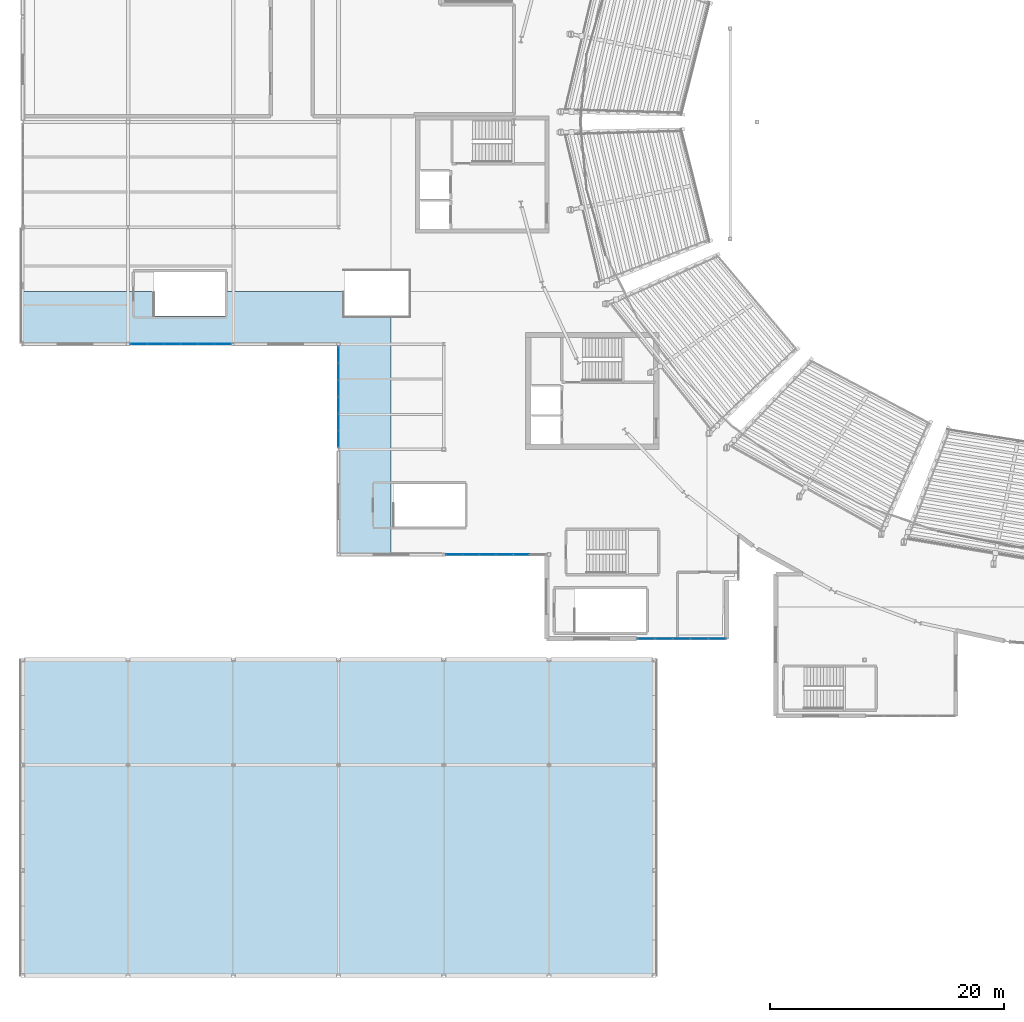
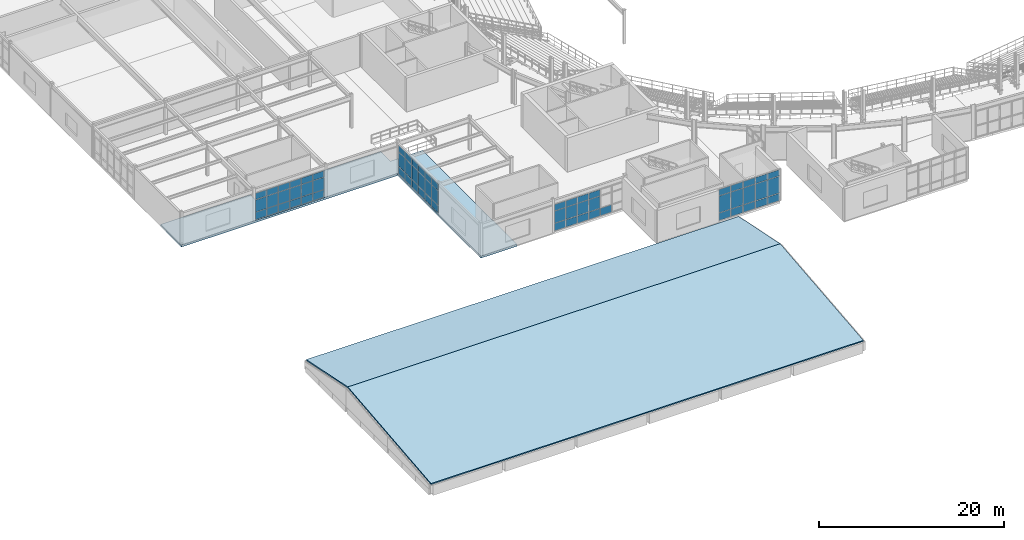
# One storey, part 43 of 81: 64 plates, 3 slabs, 5 elements without a shape of their own.
"""IFC4 building model written with IfcOpenShell, lengths in metres."""

from ifc_helpers import new_model, si_unit, direction, frame, origin, origin_2d, place, context, subcontext, project, spatial, polyline, rectangle, outline, extrude, material, layer, layer_set, type_object, element, aggregate, save


model = new_model("IFC4")

# Units and contexts
model_context = context("Model", 3, precision=1e-05, world=origin(), true_north=direction((0.0, 1.0)))
body_context = subcontext(model_context, "Body", "Model", "MODEL_VIEW")
ifc_project = project(units=[si_unit("LENGTHUNIT", "METRE"), si_unit("AREAUNIT", "SQUARE_METRE"), si_unit("VOLUMEUNIT", "CUBIC_METRE"), si_unit("PLANEANGLEUNIT", "RADIAN"), si_unit("MASSUNIT", "GRAM", prefix="KILO")], contexts=[model_context])

# Site, building, storey
site_placement = place(None, origin())
site = spatial("IfcSite", under=ifc_project, at=site_placement, CompositionType="ELEMENT")
building_placement = place(site_placement, origin())
building = spatial("IfcBuilding", under=site, at=building_placement, Name="Glasvene Arena", CompositionType="ELEMENT")
storey_placement = place(building_placement, frame((0.0, 0.0, 15.0)))
storey = spatial("IfcBuildingStorey", under=building, at=storey_placement, Name="L03", CompositionType="ELEMENT", Elevation=15.0)

# Curtain wall, plates
ifc_material_1 = material(Name="Low-emissivity laminated double glazing", Category="glass")
curtain_wall_type_1 = type_object("IfcCurtainWallType", Name="CW-FAC-L03-864x358", PredefinedType="USERDEFINED", material=ifc_material_1)
curtain_wall_1_placement = place(storey_placement, frame((17.829833984375, 54.0, 0.0)))
curtain_wall_1 = element("IfcCurtainWall", 1, at=curtain_wall_1_placement, inside=storey, type_object=curtain_wall_type_1, Name="Unitised curtain wall CW-F-L03-150-135-540-1", ObjectType="CURTAIN WALL", PredefinedType="USERDEFINED")
ifc_layer_1 = layer(ifc_material_1, 0.028076171875)
ifc_layer_set_1 = layer_set([ifc_layer_1], Name="Low-emissivity laminated double glazing")
plate_type = type_object("IfcPlateType", Name="CW-GLZ-28", PredefinedType="CURTAIN_PANEL", material=ifc_layer_set_1)
plate_1_placement = place(storey_placement, frame((17.097412109375, 54.0, 0.10986328125), z_axis=(0.0, 0.0, 1.0), x_axis=(-1.0, 0.0, 0.0)))
plate_1 = element("IfcPlate", 2, at=plate_1_placement, type_object=plate_type, Name="CW-032 panel 1.1", PredefinedType="CURTAIN_PANEL", context=body_context, shape_type="SweptSolid", body=[
    extrude(rectangle(XDim=1.36474609375, YDim=0.028076171875, at=origin_2d()), origin(), (0.0, 0.0, 1.0), 0.965087890625),
])
plate_2_placement = place(storey_placement, frame((17.097412109375, 54.0, 1.125), z_axis=(0.0, 0.0, 1.0), x_axis=(-1.0, 0.0, 0.0)))
plate_2 = element("IfcPlate", 3, at=plate_2_placement, type_object=plate_type, Name="CW-032 panel 1.2", PredefinedType="CURTAIN_PANEL", context=body_context, shape_type="SweptSolid", body=[
    extrude(rectangle(XDim=1.36474609375, YDim=0.028076171875, at=origin_2d()), origin(), (0.0, 0.0, 1.0), 1.5869140625),
])
plate_3_placement = place(storey_placement, frame((17.097412109375, 54.0, 2.76220703125), z_axis=(0.0, 0.0, 1.0), x_axis=(-1.0, 0.0, 0.0)))
plate_3 = element("IfcPlate", 4, at=plate_3_placement, type_object=plate_type, Name="CW-032 panel 1.3", PredefinedType="CURTAIN_PANEL", context=body_context, shape_type="SweptSolid", body=[
    extrude(rectangle(XDim=1.36474609375, YDim=0.028076171875, at=origin_2d()), origin(), (0.0, 0.0, 1.0), 0.824951171875),
])
plate_4_placement = place(storey_placement, frame((15.67041015625, 54.0, 0.10986328125), z_axis=(0.0, 0.0, 1.0), x_axis=(-1.0, 0.0, 0.0)))
plate_4 = element("IfcPlate", 5, at=plate_4_placement, type_object=plate_type, Name="CW-032 panel 2.1", PredefinedType="CURTAIN_PANEL", context=body_context, shape_type="SweptSolid", body=[
    extrude(rectangle(XDim=1.3896484375, YDim=0.028076171875, at=origin_2d()), origin(), (0.0, 0.0, 1.0), 0.965087890625),
])
plate_5_placement = place(storey_placement, frame((15.67041015625, 54.0, 1.125), z_axis=(0.0, 0.0, 1.0), x_axis=(-1.0, 0.0, 0.0)))
plate_5 = element("IfcPlate", 6, at=plate_5_placement, type_object=plate_type, Name="CW-032 panel 2.2", PredefinedType="CURTAIN_PANEL", context=body_context, shape_type="SweptSolid", body=[
    extrude(rectangle(XDim=1.3896484375, YDim=0.028076171875, at=origin_2d()), origin(), (0.0, 0.0, 1.0), 1.5869140625),
])
plate_6_placement = place(storey_placement, frame((15.67041015625, 54.0, 2.76220703125), z_axis=(0.0, 0.0, 1.0), x_axis=(-1.0, 0.0, 0.0)))
plate_6 = element("IfcPlate", 7, at=plate_6_placement, type_object=plate_type, Name="CW-032 panel 2.3", PredefinedType="CURTAIN_PANEL", context=body_context, shape_type="SweptSolid", body=[
    extrude(rectangle(XDim=1.3896484375, YDim=0.028076171875, at=origin_2d()), origin(), (0.0, 0.0, 1.0), 0.824951171875),
])
plate_7_placement = place(storey_placement, frame((14.230712890625, 54.0, 0.10986328125), z_axis=(0.0, 0.0, 1.0), x_axis=(-1.0, 0.0, 0.0)))
plate_7 = element("IfcPlate", 8, at=plate_7_placement, type_object=plate_type, Name="CW-032 panel 3.1", PredefinedType="CURTAIN_PANEL", context=body_context, shape_type="SweptSolid", body=[
    extrude(rectangle(XDim=1.3896484375, YDim=0.028076171875, at=origin_2d()), origin(), (0.0, 0.0, 1.0), 0.965087890625),
])
plate_8_placement = place(storey_placement, frame((14.230712890625, 54.0, 1.125), z_axis=(0.0, 0.0, 1.0), x_axis=(-1.0, 0.0, 0.0)))
plate_8 = element("IfcPlate", 9, at=plate_8_placement, type_object=plate_type, Name="CW-032 panel 3.2", PredefinedType="CURTAIN_PANEL", context=body_context, shape_type="SweptSolid", body=[
    extrude(rectangle(XDim=1.3896484375, YDim=0.028076171875, at=origin_2d()), origin(), (0.0, 0.0, 1.0), 1.5869140625),
])
plate_9_placement = place(storey_placement, frame((14.230712890625, 54.0, 2.76220703125), z_axis=(0.0, 0.0, 1.0), x_axis=(-1.0, 0.0, 0.0)))
plate_9 = element("IfcPlate", 10, at=plate_9_placement, type_object=plate_type, Name="CW-032 panel 3.3", PredefinedType="CURTAIN_PANEL", context=body_context, shape_type="SweptSolid", body=[
    extrude(rectangle(XDim=1.3896484375, YDim=0.028076171875, at=origin_2d()), origin(), (0.0, 0.0, 1.0), 0.824951171875),
])
plate_10_placement = place(storey_placement, frame((12.791015625, 54.0, 0.10986328125), z_axis=(0.0, 0.0, 1.0), x_axis=(-1.0, 0.0, 0.0)))
plate_10 = element("IfcPlate", 11, at=plate_10_placement, type_object=plate_type, Name="CW-032 panel 4.1", PredefinedType="CURTAIN_PANEL", context=body_context, shape_type="SweptSolid", body=[
    extrude(rectangle(XDim=1.3896484375, YDim=0.028076171875, at=origin_2d()), origin(), (0.0, 0.0, 1.0), 0.965087890625),
])
plate_11_placement = place(storey_placement, frame((12.791015625, 54.0, 1.125), z_axis=(0.0, 0.0, 1.0), x_axis=(-1.0, 0.0, 0.0)))
plate_11 = element("IfcPlate", 12, at=plate_11_placement, type_object=plate_type, Name="CW-032 panel 4.2", PredefinedType="CURTAIN_PANEL", context=body_context, shape_type="SweptSolid", body=[
    extrude(rectangle(XDim=1.3896484375, YDim=0.028076171875, at=origin_2d()), origin(), (0.0, 0.0, 1.0), 1.5869140625),
])
plate_12_placement = place(storey_placement, frame((12.791015625, 54.0, 2.76220703125), z_axis=(0.0, 0.0, 1.0), x_axis=(-1.0, 0.0, 0.0)))
plate_12 = element("IfcPlate", 13, at=plate_12_placement, type_object=plate_type, Name="CW-032 panel 4.3", PredefinedType="CURTAIN_PANEL", context=body_context, shape_type="SweptSolid", body=[
    extrude(rectangle(XDim=1.3896484375, YDim=0.028076171875, at=origin_2d()), origin(), (0.0, 0.0, 1.0), 0.824951171875),
])
plate_13_placement = place(storey_placement, frame((11.3515625, 54.0, 0.10986328125), z_axis=(0.0, 0.0, 1.0), x_axis=(-1.0, 0.0, 0.0)))
plate_13 = element("IfcPlate", 14, at=plate_13_placement, type_object=plate_type, Name="CW-032 panel 5.1", PredefinedType="CURTAIN_PANEL", context=body_context, shape_type="SweptSolid", body=[
    extrude(rectangle(XDim=1.3896484375, YDim=0.028076171875, at=origin_2d()), origin(), (0.0, 0.0, 1.0), 0.965087890625),
])
plate_14_placement = place(storey_placement, frame((11.3515625, 54.0, 1.125), z_axis=(0.0, 0.0, 1.0), x_axis=(-1.0, 0.0, 0.0)))
plate_14 = element("IfcPlate", 15, at=plate_14_placement, type_object=plate_type, Name="CW-032 panel 5.2", PredefinedType="CURTAIN_PANEL", context=body_context, shape_type="SweptSolid", body=[
    extrude(rectangle(XDim=1.3896484375, YDim=0.028076171875, at=origin_2d()), origin(), (0.0, 0.0, 1.0), 1.5869140625),
])
plate_15_placement = place(storey_placement, frame((11.3515625, 54.0, 2.76220703125), z_axis=(0.0, 0.0, 1.0), x_axis=(-1.0, 0.0, 0.0)))
plate_15 = element("IfcPlate", 16, at=plate_15_placement, type_object=plate_type, Name="CW-032 panel 5.3", PredefinedType="CURTAIN_PANEL", context=body_context, shape_type="SweptSolid", body=[
    extrude(rectangle(XDim=1.3896484375, YDim=0.028076171875, at=origin_2d()), origin(), (0.0, 0.0, 1.0), 0.824951171875),
])
plate_16_placement = place(storey_placement, frame((9.92431640625, 54.0, 0.10986328125), z_axis=(0.0, 0.0, 1.0), x_axis=(-1.0, 0.0, 0.0)))
plate_16 = element("IfcPlate", 17, at=plate_16_placement, type_object=plate_type, Name="CW-032 panel 6.1", PredefinedType="CURTAIN_PANEL", context=body_context, shape_type="SweptSolid", body=[
    extrude(rectangle(XDim=1.36474609375, YDim=0.028076171875, at=origin_2d()), origin(), (0.0, 0.0, 1.0), 0.965087890625),
])
plate_17_placement = place(storey_placement, frame((9.92431640625, 54.0, 1.125), z_axis=(0.0, 0.0, 1.0), x_axis=(-1.0, 0.0, 0.0)))
plate_17 = element("IfcPlate", 18, at=plate_17_placement, type_object=plate_type, Name="CW-032 panel 6.2", PredefinedType="CURTAIN_PANEL", context=body_context, shape_type="SweptSolid", body=[
    extrude(rectangle(XDim=1.36474609375, YDim=0.028076171875, at=origin_2d()), origin(), (0.0, 0.0, 1.0), 1.5869140625),
])
plate_18_placement = place(storey_placement, frame((9.92431640625, 54.0, 2.76220703125), z_axis=(0.0, 0.0, 1.0), x_axis=(-1.0, 0.0, 0.0)))
plate_18 = element("IfcPlate", 19, at=plate_18_placement, type_object=plate_type, Name="CW-032 panel 6.3", PredefinedType="CURTAIN_PANEL", context=body_context, shape_type="SweptSolid", body=[
    extrude(rectangle(XDim=1.36474609375, YDim=0.028076171875, at=origin_2d()), origin(), (0.0, 0.0, 1.0), 0.824951171875),
])
aggregate(curtain_wall_1, [plate_1, plate_2, plate_3, plate_4, plate_5, plate_6, plate_7, plate_8, plate_9, plate_10, plate_11, plate_12, plate_13, plate_14, plate_15, plate_16, plate_17, plate_18])

curtain_wall_type_2 = type_object("IfcCurtainWallType", Name="CW-FAC-L03-762x419", PredefinedType="USERDEFINED", material=ifc_material_1)
curtain_wall_2_placement = place(storey_placement, frame((60.159912109375, 28.800048828125, 0.0)))
curtain_wall_2 = element("IfcCurtainWall", 20, at=curtain_wall_2_placement, inside=storey, type_object=curtain_wall_type_2, Name="Unitised curtain wall CW-F-L03-180-564-288-70", ObjectType="CURTAIN WALL", PredefinedType="USERDEFINED")
plate_19_placement = place(storey_placement, frame((59.385498046875, 28.800048828125, 0.10986328125), z_axis=(0.0, 0.0, 1.0), x_axis=(-1.0, 0.0, 0.0)))
plate_19 = element("IfcPlate", 21, at=plate_19_placement, type_object=plate_type, Name="CW-043 panel 1.1", PredefinedType="CURTAIN_PANEL", context=body_context, shape_type="SweptSolid", body=[
    extrude(rectangle(XDim=1.448974609375, YDim=0.028076171875, at=origin_2d()), origin(), (0.0, 0.0, 1.0), 0.965087890625),
])
plate_20_placement = place(storey_placement, frame((59.385498046875, 28.800048828125, 1.125), z_axis=(0.0, 0.0, 1.0), x_axis=(-1.0, 0.0, 0.0)))
plate_20 = element("IfcPlate", 22, at=plate_20_placement, type_object=plate_type, Name="CW-043 panel 1.2", PredefinedType="CURTAIN_PANEL", context=body_context, shape_type="SweptSolid", body=[
    extrude(rectangle(XDim=1.448974609375, YDim=0.028076171875, at=origin_2d()), origin(), (0.0, 0.0, 1.0), 2.199951171875),
])
plate_21_placement = place(storey_placement, frame((59.385498046875, 28.800048828125, 3.375), z_axis=(0.0, 0.0, 1.0), x_axis=(-1.0, 0.0, 0.0)))
plate_21 = element("IfcPlate", 23, at=plate_21_placement, type_object=plate_type, Name="CW-043 panel 1.3", PredefinedType="CURTAIN_PANEL", context=body_context, shape_type="SweptSolid", body=[
    extrude(rectangle(XDim=1.448974609375, YDim=0.028076171875, at=origin_2d()), origin(), (0.0, 0.0, 1.0), 0.824951171875),
])
plate_22_placement = place(storey_placement, frame((57.8740234375, 28.800048828125, 0.10986328125), z_axis=(0.0, 0.0, 1.0), x_axis=(-1.0, 0.0, 0.0)))
plate_22 = element("IfcPlate", 24, at=plate_22_placement, type_object=plate_type, Name="CW-043 panel 2.1", PredefinedType="CURTAIN_PANEL", context=body_context, shape_type="SweptSolid", body=[
    extrude(rectangle(XDim=1.47412109375, YDim=0.028076171875, at=origin_2d()), origin(), (0.0, 0.0, 1.0), 0.965087890625),
])
plate_23_placement = place(storey_placement, frame((57.8740234375, 28.800048828125, 1.125), z_axis=(0.0, 0.0, 1.0), x_axis=(-1.0, 0.0, 0.0)))
plate_23 = element("IfcPlate", 25, at=plate_23_placement, type_object=plate_type, Name="CW-043 panel 2.2", PredefinedType="CURTAIN_PANEL", context=body_context, shape_type="SweptSolid", body=[
    extrude(rectangle(XDim=1.47412109375, YDim=0.028076171875, at=origin_2d()), origin(), (0.0, 0.0, 1.0), 2.199951171875),
])
plate_24_placement = place(storey_placement, frame((57.8740234375, 28.800048828125, 3.375), z_axis=(0.0, 0.0, 1.0), x_axis=(-1.0, 0.0, 0.0)))
plate_24 = element("IfcPlate", 26, at=plate_24_placement, type_object=plate_type, Name="CW-043 panel 2.3", PredefinedType="CURTAIN_PANEL", context=body_context, shape_type="SweptSolid", body=[
    extrude(rectangle(XDim=1.47412109375, YDim=0.028076171875, at=origin_2d()), origin(), (0.0, 0.0, 1.0), 0.824951171875),
])
plate_25_placement = place(storey_placement, frame((56.35009765625, 28.800048828125, 0.10986328125), z_axis=(0.0, 0.0, 1.0), x_axis=(-1.0, 0.0, 0.0)))
plate_25 = element("IfcPlate", 27, at=plate_25_placement, type_object=plate_type, Name="CW-043 panel 3.1", PredefinedType="CURTAIN_PANEL", context=body_context, shape_type="SweptSolid", body=[
    extrude(rectangle(XDim=1.47412109375, YDim=0.028076171875, at=origin_2d()), origin(), (0.0, 0.0, 1.0), 0.965087890625),
])
plate_26_placement = place(storey_placement, frame((56.35009765625, 28.800048828125, 1.125), z_axis=(0.0, 0.0, 1.0), x_axis=(-1.0, 0.0, 0.0)))
plate_26 = element("IfcPlate", 28, at=plate_26_placement, type_object=plate_type, Name="CW-043 panel 3.2", PredefinedType="CURTAIN_PANEL", context=body_context, shape_type="SweptSolid", body=[
    extrude(rectangle(XDim=1.47412109375, YDim=0.028076171875, at=origin_2d()), origin(), (0.0, 0.0, 1.0), 2.199951171875),
])
plate_27_placement = place(storey_placement, frame((56.35009765625, 28.800048828125, 3.375), z_axis=(0.0, 0.0, 1.0), x_axis=(-1.0, 0.0, 0.0)))
plate_27 = element("IfcPlate", 29, at=plate_27_placement, type_object=plate_type, Name="CW-043 panel 3.3", PredefinedType="CURTAIN_PANEL", context=body_context, shape_type="SweptSolid", body=[
    extrude(rectangle(XDim=1.47412109375, YDim=0.028076171875, at=origin_2d()), origin(), (0.0, 0.0, 1.0), 0.824951171875),
])
plate_28_placement = place(storey_placement, frame((54.825927734375, 28.800048828125, 0.10986328125), z_axis=(0.0, 0.0, 1.0), x_axis=(-1.0, 0.0, 0.0)))
plate_28 = element("IfcPlate", 30, at=plate_28_placement, type_object=plate_type, Name="CW-043 panel 4.1", PredefinedType="CURTAIN_PANEL", context=body_context, shape_type="SweptSolid", body=[
    extrude(rectangle(XDim=1.47412109375, YDim=0.028076171875, at=origin_2d()), origin(), (0.0, 0.0, 1.0), 0.965087890625),
])
plate_29_placement = place(storey_placement, frame((54.825927734375, 28.800048828125, 1.125), z_axis=(0.0, 0.0, 1.0), x_axis=(-1.0, 0.0, 0.0)))
plate_29 = element("IfcPlate", 31, at=plate_29_placement, type_object=plate_type, Name="CW-043 panel 4.2", PredefinedType="CURTAIN_PANEL", context=body_context, shape_type="SweptSolid", body=[
    extrude(rectangle(XDim=1.47412109375, YDim=0.028076171875, at=origin_2d()), origin(), (0.0, 0.0, 1.0), 2.199951171875),
])
plate_30_placement = place(storey_placement, frame((54.825927734375, 28.800048828125, 3.375), z_axis=(0.0, 0.0, 1.0), x_axis=(-1.0, 0.0, 0.0)))
plate_30 = element("IfcPlate", 32, at=plate_30_placement, type_object=plate_type, Name="CW-043 panel 4.3", PredefinedType="CURTAIN_PANEL", context=body_context, shape_type="SweptSolid", body=[
    extrude(rectangle(XDim=1.47412109375, YDim=0.028076171875, at=origin_2d()), origin(), (0.0, 0.0, 1.0), 0.824951171875),
])
plate_31_placement = place(storey_placement, frame((53.314453125, 28.800048828125, 0.10986328125), z_axis=(0.0, 0.0, 1.0), x_axis=(-1.0, 0.0, 0.0)))
plate_31 = element("IfcPlate", 33, at=plate_31_placement, type_object=plate_type, Name="CW-043 panel 5.1", PredefinedType="CURTAIN_PANEL", context=body_context, shape_type="SweptSolid", body=[
    extrude(rectangle(XDim=1.448974609375, YDim=0.028076171875, at=origin_2d()), origin(), (0.0, 0.0, 1.0), 0.965087890625),
])
plate_32_placement = place(storey_placement, frame((53.314453125, 28.800048828125, 1.125), z_axis=(0.0, 0.0, 1.0), x_axis=(-1.0, 0.0, 0.0)))
plate_32 = element("IfcPlate", 34, at=plate_32_placement, type_object=plate_type, Name="CW-043 panel 5.2", PredefinedType="CURTAIN_PANEL", context=body_context, shape_type="SweptSolid", body=[
    extrude(rectangle(XDim=1.448974609375, YDim=0.028076171875, at=origin_2d()), origin(), (0.0, 0.0, 1.0), 2.199951171875),
])
plate_33_placement = place(storey_placement, frame((53.314453125, 28.800048828125, 3.375), z_axis=(0.0, 0.0, 1.0), x_axis=(-1.0, 0.0, 0.0)))
plate_33 = element("IfcPlate", 35, at=plate_33_placement, type_object=plate_type, Name="CW-043 panel 5.3", PredefinedType="CURTAIN_PANEL", context=body_context, shape_type="SweptSolid", body=[
    extrude(rectangle(XDim=1.448974609375, YDim=0.028076171875, at=origin_2d()), origin(), (0.0, 0.0, 1.0), 0.824951171875),
])
aggregate(curtain_wall_2, [plate_19, plate_20, plate_21, plate_22, plate_23, plate_24, plate_25, plate_26, plate_27, plate_28, plate_29, plate_30, plate_31, plate_32, plate_33])

curtain_wall_type_3 = type_object("IfcCurtainWallType", Name="CW-FAC-L03-859x358", PredefinedType="USERDEFINED", material=ifc_material_1)
curtain_wall_3_placement = place(storey_placement, frame((44.760009765625, 36.0, 0.0)))
curtain_wall_3 = element("IfcCurtainWall", 36, at=curtain_wall_3_placement, inside=storey, type_object=curtain_wall_type_3, Name="Unitised curtain wall CW-F-L03-150-405-360-73", ObjectType="CURTAIN WALL", PredefinedType="USERDEFINED")
plate_34_placement = place(storey_placement, frame((42.612548828125, 36.0, 0.10986328125), z_axis=(0.0, 0.0, 1.0), x_axis=(-1.0, 0.0, 0.0)))
plate_34 = element("IfcPlate", 37, at=plate_34_placement, type_object=plate_type, Name="CW-045 panel 2.1", PredefinedType="CURTAIN_PANEL", context=body_context, shape_type="SweptSolid", body=[
    extrude(rectangle(XDim=1.381591796875, YDim=0.028076171875, at=origin_2d()), origin(), (0.0, 0.0, 1.0), 0.965087890625),
])
plate_35_placement = place(storey_placement, frame((41.180908203125, 36.0, 0.10986328125), z_axis=(0.0, 0.0, 1.0), x_axis=(-1.0, 0.0, 0.0)))
plate_35 = element("IfcPlate", 38, at=plate_35_placement, type_object=plate_type, Name="CW-045 panel 3.1", PredefinedType="CURTAIN_PANEL", context=body_context, shape_type="SweptSolid", body=[
    extrude(rectangle(XDim=1.381591796875, YDim=0.028076171875, at=origin_2d()), origin(), (0.0, 0.0, 1.0), 0.965087890625),
])
plate_36_placement = place(storey_placement, frame((41.180908203125, 36.0, 1.125), z_axis=(0.0, 0.0, 1.0), x_axis=(-1.0, 0.0, 0.0)))
plate_36 = element("IfcPlate", 39, at=plate_36_placement, type_object=plate_type, Name="CW-045 panel 3.2", PredefinedType="CURTAIN_PANEL", context=body_context, shape_type="SweptSolid", body=[
    extrude(rectangle(XDim=1.381591796875, YDim=0.028076171875, at=origin_2d()), origin(), (0.0, 0.0, 1.0), 1.5869140625),
])
plate_37_placement = place(storey_placement, frame((41.180908203125, 36.0, 2.76220703125), z_axis=(0.0, 0.0, 1.0), x_axis=(-1.0, 0.0, 0.0)))
plate_37 = element("IfcPlate", 40, at=plate_37_placement, type_object=plate_type, Name="CW-045 panel 3.3", PredefinedType="CURTAIN_PANEL", context=body_context, shape_type="SweptSolid", body=[
    extrude(rectangle(XDim=1.381591796875, YDim=0.028076171875, at=origin_2d()), origin(), (0.0, 0.0, 1.0), 0.824951171875),
])
plate_38_placement = place(storey_placement, frame((39.749267578125, 36.0, 0.10986328125), z_axis=(0.0, 0.0, 1.0), x_axis=(-1.0, 0.0, 0.0)))
plate_38 = element("IfcPlate", 41, at=plate_38_placement, type_object=plate_type, Name="CW-045 panel 4.1", PredefinedType="CURTAIN_PANEL", context=body_context, shape_type="SweptSolid", body=[
    extrude(rectangle(XDim=1.381591796875, YDim=0.028076171875, at=origin_2d()), origin(), (0.0, 0.0, 1.0), 0.965087890625),
])
plate_39_placement = place(storey_placement, frame((39.749267578125, 36.0, 1.125), z_axis=(0.0, 0.0, 1.0), x_axis=(-1.0, 0.0, 0.0)))
plate_39 = element("IfcPlate", 42, at=plate_39_placement, type_object=plate_type, Name="CW-045 panel 4.2", PredefinedType="CURTAIN_PANEL", context=body_context, shape_type="SweptSolid", body=[
    extrude(rectangle(XDim=1.381591796875, YDim=0.028076171875, at=origin_2d()), origin(), (0.0, 0.0, 1.0), 1.5869140625),
])
plate_40_placement = place(storey_placement, frame((39.749267578125, 36.0, 2.76220703125), z_axis=(0.0, 0.0, 1.0), x_axis=(-1.0, 0.0, 0.0)))
plate_40 = element("IfcPlate", 43, at=plate_40_placement, type_object=plate_type, Name="CW-045 panel 4.3", PredefinedType="CURTAIN_PANEL", context=body_context, shape_type="SweptSolid", body=[
    extrude(rectangle(XDim=1.381591796875, YDim=0.028076171875, at=origin_2d()), origin(), (0.0, 0.0, 1.0), 0.824951171875),
])
plate_41_placement = place(storey_placement, frame((38.317626953125, 36.0, 0.10986328125), z_axis=(0.0, 0.0, 1.0), x_axis=(-1.0, 0.0, 0.0)))
plate_41 = element("IfcPlate", 44, at=plate_41_placement, type_object=plate_type, Name="CW-045 panel 5.1", PredefinedType="CURTAIN_PANEL", context=body_context, shape_type="SweptSolid", body=[
    extrude(rectangle(XDim=1.381591796875, YDim=0.028076171875, at=origin_2d()), origin(), (0.0, 0.0, 1.0), 0.965087890625),
])
plate_42_placement = place(storey_placement, frame((38.317626953125, 36.0, 1.125), z_axis=(0.0, 0.0, 1.0), x_axis=(-1.0, 0.0, 0.0)))
plate_42 = element("IfcPlate", 45, at=plate_42_placement, type_object=plate_type, Name="CW-045 panel 5.2", PredefinedType="CURTAIN_PANEL", context=body_context, shape_type="SweptSolid", body=[
    extrude(rectangle(XDim=1.381591796875, YDim=0.028076171875, at=origin_2d()), origin(), (0.0, 0.0, 1.0), 1.5869140625),
])
plate_43_placement = place(storey_placement, frame((38.317626953125, 36.0, 2.76220703125), z_axis=(0.0, 0.0, 1.0), x_axis=(-1.0, 0.0, 0.0)))
plate_43 = element("IfcPlate", 46, at=plate_43_placement, type_object=plate_type, Name="CW-045 panel 5.3", PredefinedType="CURTAIN_PANEL", context=body_context, shape_type="SweptSolid", body=[
    extrude(rectangle(XDim=1.381591796875, YDim=0.028076171875, at=origin_2d()), origin(), (0.0, 0.0, 1.0), 0.824951171875),
])
plate_44_placement = place(storey_placement, frame((36.8984375, 36.0, 0.10986328125), z_axis=(0.0, 0.0, 1.0), x_axis=(-1.0, 0.0, 0.0)))
plate_44 = element("IfcPlate", 47, at=plate_44_placement, type_object=plate_type, Name="CW-045 panel 6.1", PredefinedType="CURTAIN_PANEL", context=body_context, shape_type="SweptSolid", body=[
    extrude(rectangle(XDim=1.356689453125, YDim=0.028076171875, at=origin_2d()), origin(), (0.0, 0.0, 1.0), 0.965087890625),
])
plate_45_placement = place(storey_placement, frame((36.8984375, 36.0, 1.125), z_axis=(0.0, 0.0, 1.0), x_axis=(-1.0, 0.0, 0.0)))
plate_45 = element("IfcPlate", 48, at=plate_45_placement, type_object=plate_type, Name="CW-045 panel 6.2", PredefinedType="CURTAIN_PANEL", context=body_context, shape_type="SweptSolid", body=[
    extrude(rectangle(XDim=1.356689453125, YDim=0.028076171875, at=origin_2d()), origin(), (0.0, 0.0, 1.0), 1.5869140625),
])
plate_46_placement = place(storey_placement, frame((36.8984375, 36.0, 2.76220703125), z_axis=(0.0, 0.0, 1.0), x_axis=(-1.0, 0.0, 0.0)))
plate_46 = element("IfcPlate", 49, at=plate_46_placement, type_object=plate_type, Name="CW-045 panel 6.3", PredefinedType="CURTAIN_PANEL", context=body_context, shape_type="SweptSolid", body=[
    extrude(rectangle(XDim=1.356689453125, YDim=0.028076171875, at=origin_2d()), origin(), (0.0, 0.0, 1.0), 0.824951171875),
])
aggregate(curtain_wall_3, [plate_34, plate_35, plate_36, plate_37, plate_38, plate_39, plate_40, plate_41, plate_42, plate_43, plate_44, plate_45, plate_46])

curtain_wall_type_4 = type_object("IfcCurtainWallType", Name="CW-FAC-L03-864x388", PredefinedType="USERDEFINED", material=ifc_material_1)
curtain_wall_4_placement = place(storey_placement, frame((27.0, 45.172119140625, 0.0)))
curtain_wall_4 = element("IfcCurtainWall", 50, at=curtain_wall_4_placement, inside=storey, type_object=curtain_wall_type_4, Name="Unitised curtain wall CW-F-L03-150-270-495-76", ObjectType="CURTAIN WALL", PredefinedType="USERDEFINED")
plate_47_placement = place(storey_placement, frame((27.0, 45.904296875, 0.10986328125), z_axis=(0.0, 0.0, 1.0), x_axis=(0.0, 1.0, 0.0)))
plate_47 = element("IfcPlate", 51, at=plate_47_placement, type_object=plate_type, Name="CW-033 panel 1.1", PredefinedType="CURTAIN_PANEL", context=body_context, shape_type="SweptSolid", body=[
    extrude(rectangle(XDim=1.3642578125, YDim=0.028076171875, at=origin_2d()), origin(), (0.0, 0.0, 1.0), 0.965087890625),
])
plate_48_placement = place(storey_placement, frame((27.0, 45.904296875, 1.125), z_axis=(0.0, 0.0, 1.0), x_axis=(0.0, 1.0, 0.0)))
plate_48 = element("IfcPlate", 52, at=plate_48_placement, type_object=plate_type, Name="CW-033 panel 1.2", PredefinedType="CURTAIN_PANEL", context=body_context, shape_type="SweptSolid", body=[
    extrude(rectangle(XDim=1.3642578125, YDim=0.028076171875, at=origin_2d()), origin(), (0.0, 0.0, 1.0), 1.89501953125),
])
plate_49_placement = place(storey_placement, frame((27.0, 45.904296875, 3.06982421875), z_axis=(0.0, 0.0, 1.0), x_axis=(0.0, 1.0, 0.0)))
plate_49 = element("IfcPlate", 53, at=plate_49_placement, type_object=plate_type, Name="CW-033 panel 1.3", PredefinedType="CURTAIN_PANEL", context=body_context, shape_type="SweptSolid", body=[
    extrude(rectangle(XDim=1.3642578125, YDim=0.028076171875, at=origin_2d()), origin(), (0.0, 0.0, 1.0), 0.824951171875),
])
plate_50_placement = place(storey_placement, frame((27.0, 47.3310546875, 0.10986328125), z_axis=(0.0, 0.0, 1.0), x_axis=(0.0, 1.0, 0.0)))
plate_50 = element("IfcPlate", 54, at=plate_50_placement, type_object=plate_type, Name="CW-033 panel 2.1", PredefinedType="CURTAIN_PANEL", context=body_context, shape_type="SweptSolid", body=[
    extrude(rectangle(XDim=1.389404296875, YDim=0.028076171875, at=origin_2d()), origin(), (0.0, 0.0, 1.0), 0.965087890625),
])
plate_51_placement = place(storey_placement, frame((27.0, 47.3310546875, 1.125), z_axis=(0.0, 0.0, 1.0), x_axis=(0.0, 1.0, 0.0)))
plate_51 = element("IfcPlate", 55, at=plate_51_placement, type_object=plate_type, Name="CW-033 panel 2.2", PredefinedType="CURTAIN_PANEL", context=body_context, shape_type="SweptSolid", body=[
    extrude(rectangle(XDim=1.389404296875, YDim=0.028076171875, at=origin_2d()), origin(), (0.0, 0.0, 1.0), 1.89501953125),
])
plate_52_placement = place(storey_placement, frame((27.0, 47.3310546875, 3.06982421875), z_axis=(0.0, 0.0, 1.0), x_axis=(0.0, 1.0, 0.0)))
plate_52 = element("IfcPlate", 56, at=plate_52_placement, type_object=plate_type, Name="CW-033 panel 2.3", PredefinedType="CURTAIN_PANEL", context=body_context, shape_type="SweptSolid", body=[
    extrude(rectangle(XDim=1.389404296875, YDim=0.028076171875, at=origin_2d()), origin(), (0.0, 0.0, 1.0), 0.824951171875),
])
plate_53_placement = place(storey_placement, frame((27.0, 48.7705078125, 0.10986328125), z_axis=(0.0, 0.0, 1.0), x_axis=(0.0, 1.0, 0.0)))
plate_53 = element("IfcPlate", 57, at=plate_53_placement, type_object=plate_type, Name="CW-033 panel 3.1", PredefinedType="CURTAIN_PANEL", context=body_context, shape_type="SweptSolid", body=[
    extrude(rectangle(XDim=1.389404296875, YDim=0.028076171875, at=origin_2d()), origin(), (0.0, 0.0, 1.0), 0.965087890625),
])
plate_54_placement = place(storey_placement, frame((27.0, 48.7705078125, 1.125), z_axis=(0.0, 0.0, 1.0), x_axis=(0.0, 1.0, 0.0)))
plate_54 = element("IfcPlate", 58, at=plate_54_placement, type_object=plate_type, Name="CW-033 panel 3.2", PredefinedType="CURTAIN_PANEL", context=body_context, shape_type="SweptSolid", body=[
    extrude(rectangle(XDim=1.389404296875, YDim=0.028076171875, at=origin_2d()), origin(), (0.0, 0.0, 1.0), 1.89501953125),
])
plate_55_placement = place(storey_placement, frame((27.0, 48.7705078125, 3.06982421875), z_axis=(0.0, 0.0, 1.0), x_axis=(0.0, 1.0, 0.0)))
plate_55 = element("IfcPlate", 59, at=plate_55_placement, type_object=plate_type, Name="CW-033 panel 3.3", PredefinedType="CURTAIN_PANEL", context=body_context, shape_type="SweptSolid", body=[
    extrude(rectangle(XDim=1.389404296875, YDim=0.028076171875, at=origin_2d()), origin(), (0.0, 0.0, 1.0), 0.824951171875),
])
plate_56_placement = place(storey_placement, frame((27.0, 50.209716796875, 0.10986328125), z_axis=(0.0, 0.0, 1.0), x_axis=(0.0, 1.0, 0.0)))
plate_56 = element("IfcPlate", 60, at=plate_56_placement, type_object=plate_type, Name="CW-033 panel 4.1", PredefinedType="CURTAIN_PANEL", context=body_context, shape_type="SweptSolid", body=[
    extrude(rectangle(XDim=1.389404296875, YDim=0.028076171875, at=origin_2d()), origin(), (0.0, 0.0, 1.0), 0.965087890625),
])
plate_57_placement = place(storey_placement, frame((27.0, 50.209716796875, 1.125), z_axis=(0.0, 0.0, 1.0), x_axis=(0.0, 1.0, 0.0)))
plate_57 = element("IfcPlate", 61, at=plate_57_placement, type_object=plate_type, Name="CW-033 panel 4.2", PredefinedType="CURTAIN_PANEL", context=body_context, shape_type="SweptSolid", body=[
    extrude(rectangle(XDim=1.389404296875, YDim=0.028076171875, at=origin_2d()), origin(), (0.0, 0.0, 1.0), 1.89501953125),
])
plate_58_placement = place(storey_placement, frame((27.0, 50.209716796875, 3.06982421875), z_axis=(0.0, 0.0, 1.0), x_axis=(0.0, 1.0, 0.0)))
plate_58 = element("IfcPlate", 62, at=plate_58_placement, type_object=plate_type, Name="CW-033 panel 4.3", PredefinedType="CURTAIN_PANEL", context=body_context, shape_type="SweptSolid", body=[
    extrude(rectangle(XDim=1.389404296875, YDim=0.028076171875, at=origin_2d()), origin(), (0.0, 0.0, 1.0), 0.824951171875),
])
plate_59_placement = place(storey_placement, frame((27.0, 51.649169921875, 0.10986328125), z_axis=(0.0, 0.0, 1.0), x_axis=(0.0, 1.0, 0.0)))
plate_59 = element("IfcPlate", 63, at=plate_59_placement, type_object=plate_type, Name="CW-033 panel 5.1", PredefinedType="CURTAIN_PANEL", context=body_context, shape_type="SweptSolid", body=[
    extrude(rectangle(XDim=1.389404296875, YDim=0.028076171875, at=origin_2d()), origin(), (0.0, 0.0, 1.0), 0.965087890625),
])
plate_60_placement = place(storey_placement, frame((27.0, 51.649169921875, 1.125), z_axis=(0.0, 0.0, 1.0), x_axis=(0.0, 1.0, 0.0)))
plate_60 = element("IfcPlate", 64, at=plate_60_placement, type_object=plate_type, Name="CW-033 panel 5.2", PredefinedType="CURTAIN_PANEL", context=body_context, shape_type="SweptSolid", body=[
    extrude(rectangle(XDim=1.389404296875, YDim=0.028076171875, at=origin_2d()), origin(), (0.0, 0.0, 1.0), 1.89501953125),
])
plate_61_placement = place(storey_placement, frame((27.0, 51.649169921875, 3.06982421875), z_axis=(0.0, 0.0, 1.0), x_axis=(0.0, 1.0, 0.0)))
plate_61 = element("IfcPlate", 65, at=plate_61_placement, type_object=plate_type, Name="CW-033 panel 5.3", PredefinedType="CURTAIN_PANEL", context=body_context, shape_type="SweptSolid", body=[
    extrude(rectangle(XDim=1.389404296875, YDim=0.028076171875, at=origin_2d()), origin(), (0.0, 0.0, 1.0), 0.824951171875),
])
plate_62_placement = place(storey_placement, frame((27.0, 53.075927734375, 0.10986328125), z_axis=(0.0, 0.0, 1.0), x_axis=(0.0, 1.0, 0.0)))
plate_62 = element("IfcPlate", 66, at=plate_62_placement, type_object=plate_type, Name="CW-033 panel 6.1", PredefinedType="CURTAIN_PANEL", context=body_context, shape_type="SweptSolid", body=[
    extrude(rectangle(XDim=1.3642578125, YDim=0.028076171875, at=origin_2d()), origin(), (0.0, 0.0, 1.0), 0.965087890625),
])
plate_63_placement = place(storey_placement, frame((27.0, 53.075927734375, 1.125), z_axis=(0.0, 0.0, 1.0), x_axis=(0.0, 1.0, 0.0)))
plate_63 = element("IfcPlate", 67, at=plate_63_placement, type_object=plate_type, Name="CW-033 panel 6.2", PredefinedType="CURTAIN_PANEL", context=body_context, shape_type="SweptSolid", body=[
    extrude(rectangle(XDim=1.3642578125, YDim=0.028076171875, at=origin_2d()), origin(), (0.0, 0.0, 1.0), 1.89501953125),
])
plate_64_placement = place(storey_placement, frame((27.0, 53.075927734375, 3.06982421875), z_axis=(0.0, 0.0, 1.0), x_axis=(0.0, 1.0, 0.0)))
plate_64 = element("IfcPlate", 68, at=plate_64_placement, type_object=plate_type, Name="CW-033 panel 6.3", PredefinedType="CURTAIN_PANEL", context=body_context, shape_type="SweptSolid", body=[
    extrude(rectangle(XDim=1.3642578125, YDim=0.028076171875, at=origin_2d()), origin(), (0.0, 0.0, 1.0), 0.824951171875),
])
aggregate(curtain_wall_4, [plate_47, plate_48, plate_49, plate_50, plate_51, plate_52, plate_53, plate_54, plate_55, plate_56, plate_57, plate_58, plate_59, plate_60, plate_61, plate_62, plate_63, plate_64])

# Slab
ifc_material_2 = material(Name="Concrete C40/50", Category="concrete")
ifc_layer_2 = layer(ifc_material_2, 0.280029296875)
ifc_layer_set_2 = layer_set([ifc_layer_2], Name="Concrete C40/50")
slab_type_1 = type_object("IfcSlabType", Name="SL-CONC-280", PredefinedType="FLOOR", material=ifc_layer_set_2)
slab_1_placement = place(storey_placement, frame((19.083984375, 53.300048828125, -0.280029296875)))
element("IfcSlab", 69, at=slab_1_placement, inside=storey, type_object=slab_type_1, Name="Structural floor slab L03 sector 2-1 (86)", PredefinedType="FLOOR", context=body_context, shape_type="SweptSolid", body=[
    extrude(outline(polyline([(-7.882080078125, 5.199951171875), (-7.882080078125, 3.099853515625), (-1.783935546875, 3.099853515625), (-1.783935546875, 5.199951171875), (8.41796875, 5.199951171875), (8.41796875, 3.099853515625), (12.416015625, 3.099853515625), (12.416015625, -17.300048828125), (7.916015625, -17.300048828125), (7.916015625, 0.699951171875), (-19.083984375, 0.699951171875), (-19.083984375, 5.199951171875), (-7.882080078125, 5.199951171875)])), origin(), (0.0, 0.0, 1.0), 0.280029296875),
])

# Roof, slabs
ifc_material_3 = material(Name="Smooth matte white insulated roof panel")
ifc_layer_3 = layer(ifc_material_3, 0.179931640625)
ifc_layer_set_3 = layer_set([ifc_layer_3], Name="Smooth matte white insulated roof panel")
roof_type = type_object("IfcRoofType", Name="RF-PETAL-ASSY", PredefinedType="PAVILION_ROOF", material=ifc_layer_set_3)
roof_placement = place(storey_placement, frame((27.0, 13.5, 1.25)))
roof = element("IfcRoof", 70, at=roof_placement, inside=storey, type_object=roof_type, Name="Pitched Prairie wing roof V2", PredefinedType="PAVILION_ROOF")
ifc_layer_4 = layer(ifc_material_2, 0.159912109375)
ifc_layer_set_4 = layer_set([ifc_layer_4], Name="Concrete C40/50")
slab_type_2 = type_object("IfcSlabType", Name="SL-WING-160", PredefinedType="ROOF", material=ifc_layer_set_4)
slab_2_placement = place(storey_placement, frame((0.0, 0.0, 1.25), z_axis=(0.0, -0.10224454656, 0.994759293849), x_axis=(1.0, 0.0, 0.0)))
slab_2 = element("IfcSlab", 71, at=slab_2_placement, type_object=slab_type_2, Name="Pitched wing roof slab V2-S", PredefinedType="ROOF", context=body_context, shape_type="SweptSolid", body=[
    extrude(outline(polyline([(0.0, 0.0), (54.0, 0.0), (54.0, 18.094829685235), (0.0, 18.094829685235), (0.0, 0.0)])), origin(), (0.0, 0.0, -1.0), 0.159912109375),
])
slab_3_placement = place(storey_placement, frame((0.0, 18.0, 3.10009765625), z_axis=(0.0, 0.201356020378, 0.979518122884), x_axis=(1.0, 0.0, 0.0)))
slab_3 = element("IfcSlab", 72, at=slab_3_placement, type_object=slab_type_2, Name="Pitched wing roof slab V2-N", PredefinedType="ROOF", context=body_context, shape_type="SweptSolid", body=[
    extrude(outline(polyline([(0.0, 0.0), (54.0, 0.0), (54.0, 9.188191407326132), (0.0, 9.188191407326132), (0.0, 0.0)])), origin(), (0.0, 0.0, -1.0), 0.159912109375),
])
aggregate(roof, [slab_2, slab_3])

save(model, "model.ifc")
